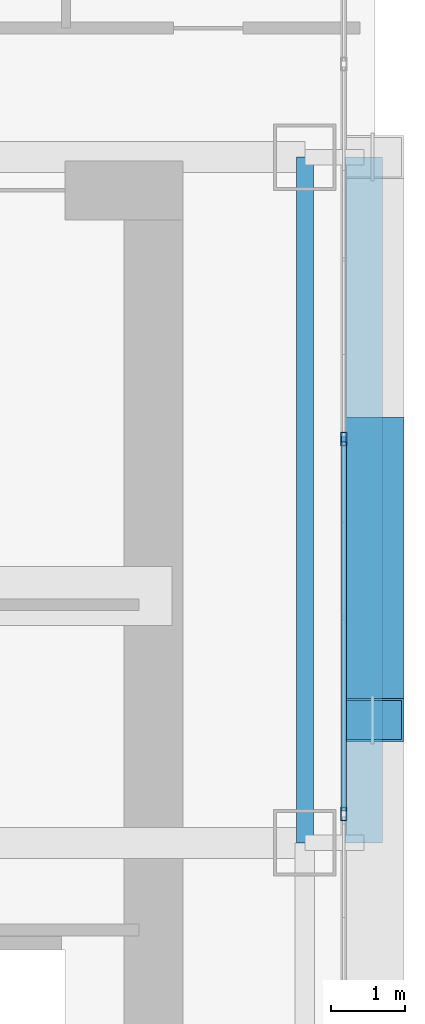
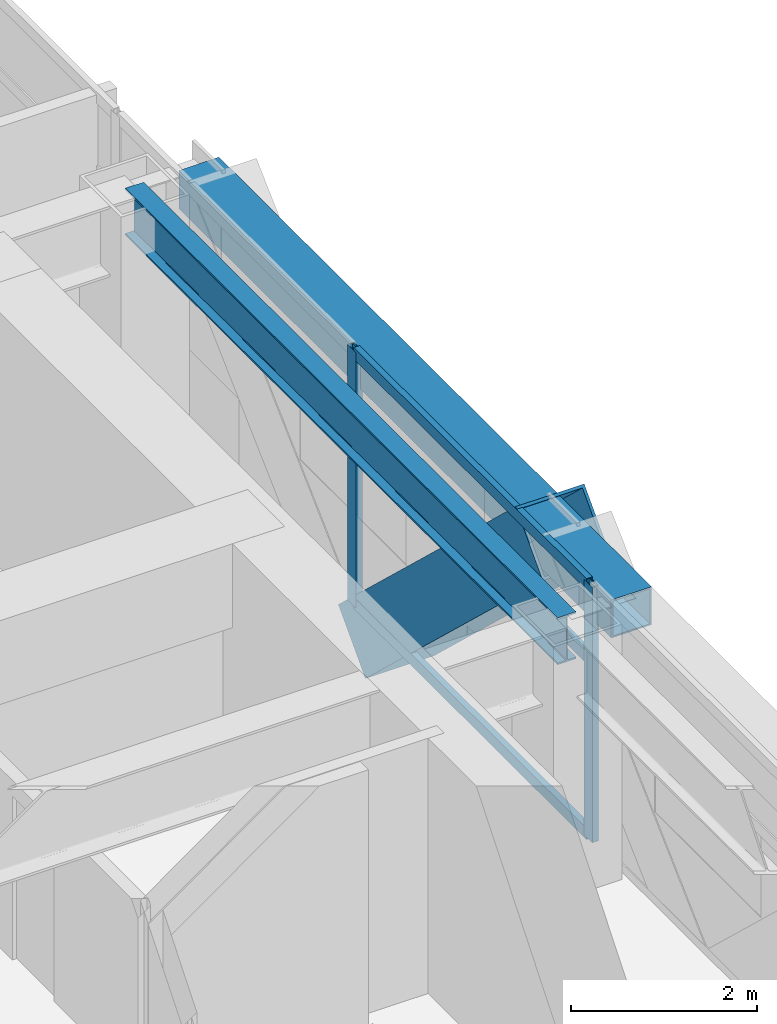
# One storey, part 15 of 38: 6 members, 2 beams, 1 element without a shape of its own.
"""IFC4 building model written with IfcOpenShell, lengths in metres."""

import ifcopenshell
import ifcopenshell.guid

model = None  # the IFC model being written
_history = None  # IfcOwnerHistory: only IFC2X3 demands one
_inside = {}  # id of a spatial element -> (the spatial element, [elements in it])
_under = {}  # id of a project, library or spatial element -> (it, [spatial elements below it])
_declared = {}  # id of a project -> (the project, [libraries it declares])
_typed = {}  # id of a type object -> (the type object, [elements of that type])
_made_of = {}  # id of a material, layer set ... -> (it, [elements and type objects made of it])


def new_model(schema):
    """Start an empty IFC model of exactly this schema.

    Asked for "IFC4X3", IfcOpenShell would pick the latest addendum, in which some entities
    have other attributes; the version numbers below select the first issue.
    IFC2X3 requires an IfcOwnerHistory on every rooted entity: one is made here for all.
    """
    global model, _history
    if schema == "IFC4X3":
        model = ifcopenshell.file(schema_version=(4, 3, 0, 0))
    else:
        model = ifcopenshell.file(schema=schema)
    _inside.clear()
    _under.clear()
    _declared.clear()
    _typed.clear()
    _made_of.clear()
    _history = None
    if model.schema == "IFC2X3":
        org = make("IfcOrganization", Name="unknown")
        user = make(
            "IfcPersonAndOrganization",
            ThePerson=make("IfcPerson", FamilyName="unknown"),
            TheOrganization=org,
        )
        app = make(
            "IfcApplication",
            ApplicationDeveloper=org,
            Version="unknown",
            ApplicationFullName="unknown",
            ApplicationIdentifier="unknown",
        )
        _history = make(
            "IfcOwnerHistory",
            OwningUser=user,
            OwningApplication=app,
            ChangeAction="ADDED",
            CreationDate=0,
        )
    return model


def make(cls, **values):
    """One entity of the class cls with the attributes given. An attribute that is None is left unset."""
    return model.create_entity(
        cls, **{name: value for name, value in values.items() if value is not None}
    )


def rooted(cls, **values):
    """An entity with a GlobalId (a new one), such as an element, a storey or a relation."""
    return make(cls, GlobalId=ifcopenshell.guid.new(), OwnerHistory=_history, **values)


def si_unit(unit_type, name, prefix=None):
    """IfcSIUnit, for example si_unit("LENGTHUNIT", "METRE", prefix="MILLI")."""
    return make("IfcSIUnit", UnitType=unit_type, Prefix=prefix, Name=name)


def assignment(units):
    """IfcUnitAssignment: the units of a project."""
    return None if units is None else make("IfcUnitAssignment", Units=units)


def point(xyz):
    """IfcCartesianPoint."""
    return None if xyz is None else make("IfcCartesianPoint", Coordinates=xyz)


def direction(xyz):
    """IfcDirection."""
    return None if xyz is None else make("IfcDirection", DirectionRatios=xyz)


def frame(location, z_axis=None, x_axis=None):
    """IfcAxis2Placement3D, a coordinate frame: its origin and axes. An axis left out is left unset."""
    return make(
        "IfcAxis2Placement3D",
        Location=point(location),
        Axis=direction(z_axis),
        RefDirection=direction(x_axis),
    )


def frame_2d(location, x_axis=None):
    """IfcAxis2Placement2D, a coordinate frame in the plane: its origin and x axis."""
    return make(
        "IfcAxis2Placement2D", Location=point(location), RefDirection=direction(x_axis)
    )


def origin():
    """The frame at (0, 0, 0) with its axes left unset."""
    return frame((0.0, 0.0, 0.0))


def origin_2d():
    """The frame at (0, 0) in the plane with its x axis left unset."""
    return frame_2d((0.0, 0.0))


def place(relative_to, where):
    """IfcLocalPlacement: puts the frame where relative to a parent placement (None: the world)."""
    return make(
        "IfcLocalPlacement", PlacementRelTo=relative_to, RelativePlacement=where
    )


def context(
    kind, dimensions, precision=None, world=None, true_north=None, identifier=None
):
    """IfcGeometricRepresentationContext, for example the 3D "Model" context."""
    return make(
        "IfcGeometricRepresentationContext",
        ContextIdentifier=identifier,
        ContextType=kind,
        CoordinateSpaceDimension=dimensions,
        Precision=precision,
        WorldCoordinateSystem=world,
        TrueNorth=true_north,
    )


def subcontext(parent, identifier, kind, view, scale=None):
    """IfcGeometricRepresentationSubContext, for example "Body" below "Model"."""
    return make(
        "IfcGeometricRepresentationSubContext",
        ContextIdentifier=identifier,
        ContextType=kind,
        ParentContext=parent,
        TargetScale=scale,
        TargetView=view,
    )


def project(units=None, contexts=None):
    """IfcProject with its units and contexts."""
    return rooted(
        "IfcProject",
        Name="project",
        RepresentationContexts=contexts,
        UnitsInContext=assignment(units),
    )


def spatial(cls, under=None, at=None, **own):
    """A site, building, storey or space (cls), placed at a placement, below another one or the project."""
    s = rooted(cls, ObjectPlacement=at, **own)
    if under is not None:
        _under.setdefault(under.id(), (under, []))[1].append(s)
    return s


def profile(cls, at=None, kind="AREA", **sizes):
    """A parametric profile (cls). Its sizes go by their IFC names, for example OverallWidth=200.0."""
    return make(cls, ProfileType=kind, Position=at, **sizes)


def hollow_rectangle(**sizes):
    """IfcRectangleHollowProfileDef."""
    return profile("IfcRectangleHollowProfileDef", **sizes)


def i_section(**sizes):
    """IfcIShapeProfileDef."""
    return profile("IfcIShapeProfileDef", **sizes)


def extrude(swept, where, along, depth):
    """IfcExtrudedAreaSolid: the profile swept, set in the frame where, extruded along a direction by depth."""
    return make(
        "IfcExtrudedAreaSolid",
        SweptArea=swept,
        Position=where,
        ExtrudedDirection=direction(along),
        Depth=depth,
    )


def shape(context_of_items, identifier, shape_type, items):
    """IfcShapeRepresentation: the items that make up one representation, for example the "Body"."""
    return make(
        "IfcShapeRepresentation",
        ContextOfItems=context_of_items,
        RepresentationIdentifier=identifier,
        RepresentationType=shape_type,
        Items=items,
    )


def source(mapping_origin, context_of_items, identifier, shape_type, items):
    """IfcRepresentationMap: a shape defined once, which mapped items show again and again."""
    return make(
        "IfcRepresentationMap",
        MappingOrigin=mapping_origin,
        MappedRepresentation=shape(context_of_items, identifier, shape_type, items),
    )


def transform(
    local_origin,
    x_axis=None,
    y_axis=None,
    z_axis=None,
    scale=None,
    scale2=None,
    scale3=None,
    uniform=True,
):
    """IfcCartesianTransformationOperator3D, or its non-uniform kind. x_axis, y_axis, z_axis: its Axis1, 2, 3."""
    if uniform:
        return make(
            "IfcCartesianTransformationOperator3D",
            Axis1=direction(x_axis),
            Axis2=direction(y_axis),
            LocalOrigin=point(local_origin),
            Scale=scale,
            Axis3=direction(z_axis),
        )
    return make(
        "IfcCartesianTransformationOperator3DnonUniform",
        Axis1=direction(x_axis),
        Axis2=direction(y_axis),
        LocalOrigin=point(local_origin),
        Scale=scale,
        Axis3=direction(z_axis),
        Scale2=scale2,
        Scale3=scale3,
    )


def mapped(mapping_source, mapping_target):
    """IfcMappedItem: shows the shape of a source again, moved by a transform."""
    return make(
        "IfcMappedItem", MappingSource=mapping_source, MappingTarget=mapping_target
    )


def material(Name=None, Category=None):
    """IfcMaterial."""
    return make("IfcMaterial", Name=Name, Category=Category)


def layer(
    of_material, thickness, ventilated=None, Name=None, Category=None, Priority=None
):
    """IfcMaterialLayer: one layer of a wall or slab, of a material (None: an air gap)."""
    return make(
        "IfcMaterialLayer",
        Material=of_material,
        LayerThickness=thickness,
        IsVentilated=ventilated,
        Name=Name,
        Category=Category,
        Priority=Priority,
    )


def layer_set(layers, Name=None):
    """IfcMaterialLayerSet."""
    return make("IfcMaterialLayerSet", MaterialLayers=layers, LayerSetName=Name)


def material_profile(
    of_material, cross_section, Name=None, Category=None, Priority=None
):
    """IfcMaterialProfile: a cross section and its material."""
    return make(
        "IfcMaterialProfile",
        Name=Name,
        Material=of_material,
        Profile=cross_section,
        Priority=Priority,
        Category=Category,
    )


def profile_set(profiles, Name=None, composite=None):
    """IfcMaterialProfileSet."""
    return make(
        "IfcMaterialProfileSet",
        Name=Name,
        MaterialProfiles=profiles,
        CompositeProfile=composite,
    )


def made_of(thing, what):
    """Note that an element or type object is made of a material, layer set ...; save() writes the relation."""
    if what is not None:
        _made_of.setdefault(what.id(), (what, []))[1].append(thing)
    return thing


def type_object(cls, material=None, **own):
    """A type object (cls), such as IfcWallType, which elements share."""
    return made_of(rooted(cls, **own), material)


def element(
    cls,
    number,
    at=None,
    inside=None,
    cuts=None,
    type_object=None,
    material=None,
    context=None,
    identifier="Body",
    shape_type=None,
    held_by="IfcProductDefinitionShape",
    body=None,
    shapes=None,
    **own,
):
    """One element of the class cls, such as IfcWall. Its Tag is "e" and its number.

    at: its placement. inside: the storey or other place that contains it. cuts: it is an
    opening in that element (IfcRelVoidsElement). A single representation is given by context,
    identifier, shape_type and body (its items); several are given by shapes. held_by: the class
    of the entity that holds the representations. save() writes the other relations.
    """
    e = rooted(cls, Tag="e%d" % number, ObjectPlacement=at, **own)
    if body is not None:
        shapes = [shape(context, identifier, shape_type, body)]
    if shapes is not None:
        e.Representation = make(held_by, Representations=shapes)
    if inside is not None:
        _inside.setdefault(inside.id(), (inside, []))[1].append(e)
    if cuts is not None:
        rooted(
            "IfcRelVoidsElement", RelatingBuildingElement=cuts, RelatedOpeningElement=e
        )
    if type_object is not None:
        _typed.setdefault(type_object.id(), (type_object, []))[1].append(e)
    return made_of(e, material)


def aggregate(whole, parts):
    """IfcRelAggregates: a whole, such as a stair, and the parts it consists of."""
    return rooted("IfcRelAggregates", RelatingObject=whole, RelatedObjects=parts)


def save(model, path):
    """Write the relations noted so far, then the file.

    IfcRelAggregates (storeys below a building ...), IfcRelContainedInSpatialStructure (elements
    in a storey), IfcRelDefinesByType, IfcRelAssociatesMaterial and IfcRelDeclares: one each for
    every whole, place, type object, material and project.
    """
    for whole, parts in _under.values():
        aggregate(whole, parts)
    for where, things in _inside.values():
        rooted(
            "IfcRelContainedInSpatialStructure",
            RelatedElements=things,
            RelatingStructure=where,
        )
    for kind, things in _typed.values():
        rooted("IfcRelDefinesByType", RelatedObjects=things, RelatingType=kind)
    for what, things in _made_of.values():
        rooted("IfcRelAssociatesMaterial", RelatedObjects=things, RelatingMaterial=what)
    for by, libraries in _declared.values():
        rooted("IfcRelDeclares", RelatingContext=by, RelatedDefinitions=libraries)
    model.write(path)


model = new_model("IFC4")

# Units and contexts
model_context = context("Model", 3, precision=1e-05, world=origin(), true_north=direction((0.0, 1.0)))
body_context = subcontext(model_context, "Body", "Model", "MODEL_VIEW")
ifc_project = project(units=[si_unit("LENGTHUNIT", "METRE"), si_unit("AREAUNIT", "SQUARE_METRE"), si_unit("VOLUMEUNIT", "CUBIC_METRE"), si_unit("PLANEANGLEUNIT", "RADIAN"), si_unit("MASSUNIT", "GRAM", prefix="KILO")], contexts=[model_context])

# Site, building, storey
site_placement = place(None, origin())
site = spatial("IfcSite", under=ifc_project, at=site_placement, CompositionType="ELEMENT")
building_placement = place(site_placement, origin())
building = spatial("IfcBuilding", under=site, at=building_placement, Name="Ocotamira Hotel", CompositionType="ELEMENT")
storey_placement = place(building_placement, frame((0.0, 0.0, 60.0)))
storey = spatial("IfcBuildingStorey", under=building, at=storey_placement, Name="L14", CompositionType="ELEMENT", Elevation=60.0)

# Beams
ifc_material_1 = material(Name="Steel ASTM A992 Grade 50", Category="steel")
ifc_material_profile_1 = material_profile(ifc_material_1, i_section(OverallWidth=0.22998046875, OverallDepth=0.616943359375, WebThickness=0.01318359375, FlangeThickness=0.022216796875, FilletRadius=0.012939453125, at=origin_2d()), Name="W24X94")
ifc_profile_set_1 = profile_set([ifc_material_profile_1], Name="Steel ASTM A992 Grade 50")
beam_type_1 = type_object("IfcBeamType", Name="BM-PRIM-W24X94", PredefinedType="BEAM", material=ifc_profile_set_1)
shared_shape_1 = source(origin(), body_context, "Body", "SweptSolid", [
    extrude(i_section(OverallWidth=0.22998046875, OverallDepth=0.616943359375, WebThickness=0.01318359375, FlangeThickness=0.022216796875, FilletRadius=0.012939453125, at=origin_2d()), origin(), (0.0, 0.0, 1.0), 9.300048828125),
])
beam_1_placement = place(storey_placement, frame((55.050048828125, 28.14990234375, 3.04150390625), z_axis=(0.0, 1.0, 0.0), x_axis=(-1.0, 0.0, 0.0)))
element("IfcBeam", 1, at=beam_1_placement, inside=storey, type_object=beam_type_1, Name="L14 Beam X55.05 Y28.15-37.45", PredefinedType="BEAM", context=body_context, shape_type="MappedRepresentation", body=[
    mapped(shared_shape_1, transform((0.0, 0.0, 0.0), scale=1.0)),
])
ifc_material_2 = material(Name="Steel ASTM A500 Grade C", Category="steel")
ifc_material_profile_2 = material_profile(ifc_material_2, hollow_rectangle(XDim=0.5, YDim=0.5, WallThickness=0.02001953125, at=origin_2d()), Name="HSS500X500X20")
ifc_profile_set_2 = profile_set([ifc_material_profile_2], Name="Steel ASTM A500 Grade C")
beam_type_2 = type_object("IfcBeamType", Name="BM-SPAN-HSS500", PredefinedType="USERDEFINED", material=ifc_profile_set_2)
shared_shape_2 = source(origin(), body_context, "Body", "SweptSolid", [
    extrude(hollow_rectangle(XDim=0.5, YDim=0.5, WallThickness=0.02001953125, at=origin_2d()), origin(), (0.0, 0.0, 1.0), 9.300048828125),
])
beam_2_placement = place(storey_placement, frame((55.85009765625, 28.14990234375, 3.10009765625), z_axis=(0.0, 1.0, 0.0), x_axis=(-1.0, 0.0, 0.0)))
element("IfcBeam", 2, at=beam_2_placement, inside=storey, type_object=beam_type_2, Name="L14 Edge Spandrel E Y28.15-37.45", ObjectType="SPANDREL", PredefinedType="USERDEFINED", context=body_context, shape_type="MappedRepresentation", body=[
    mapped(shared_shape_2, transform((0.0, 0.0, 0.0), scale=1.0)),
])

# Member
ifc_material_3 = material(Name="Pale-metal coated steel ASTM A913 Grade 65", Category="steel")
ifc_material_profile_3 = material_profile(ifc_material_3, hollow_rectangle(XDim=0.85009765625, YDim=0.85009765625, WallThickness=0.035888671875, at=origin_2d()), Name="BOX850X850X36")
ifc_profile_set_3 = profile_set([ifc_material_profile_3], Name="Pale-metal coated steel ASTM A913 Grade 65")
member_type_1 = type_object("IfcMemberType", Name="MEM-EXO-BOX850", PredefinedType="BRACE", material=ifc_profile_set_3)
shared_shape_3 = source(origin(), body_context, "Body", "SweptSolid", [
    extrude(hollow_rectangle(XDim=0.85009765625, YDim=0.85009765625, WallThickness=0.035888671875, at=origin_2d()), origin(), (0.0, 0.0, 1.0), 5.24658203125),
])
member_1_placement = place(storey_placement, frame((55.969970703125, 33.63330078125, -0.5), z_axis=(0.0, -0.727442733726, 0.686168397078), x_axis=(1.0, 0.0, 0.0)))
element("IfcMember", 3, at=member_1_placement, inside=storey, type_object=member_type_1, Name="L14 Exoskeleton Diagrid E2.1", PredefinedType="BRACE", context=body_context, shape_type="MappedRepresentation", body=[
    mapped(shared_shape_3, transform((0.0, 0.0, 0.0), scale=1.0)),
])

# Curtain wall, members
ifc_material_4 = material(Name="Anodised pale-metal aluminium and solar glass", Category="aluminium")
ifc_layer = layer(ifc_material_4, 0.179931640625)
ifc_layer_set = layer_set([ifc_layer], Name="Anodised pale-metal aluminium and solar glass")
curtain_wall_type = type_object("IfcCurtainWallType", Name="CW-SYS2-Z1", PredefinedType="NOTDEFINED", material=ifc_layer_set)
curtain_wall_placement = place(storey_placement, origin())
curtain_wall = element("IfcCurtainWall", 4, at=curtain_wall_placement, inside=storey, type_object=curtain_wall_type, Name="L14 Curtain Wall CW-2 CW-L14-E", PredefinedType="NOTDEFINED")
ifc_material_5 = material(Name="Anodised pale-metal aluminium 6063-T6", Category="aluminium")
ifc_material_profile_4 = material_profile(ifc_material_5, hollow_rectangle(XDim=0.074951171875, YDim=0.14990234375, WallThickness=0.006103515625, at=origin_2d()), Name="HSS150X75X6")
ifc_profile_set_4 = profile_set([ifc_material_profile_4], Name="Anodised pale-metal aluminium 6063-T6")
member_type_2 = type_object("IfcMemberType", Name="CWT-150X75", PredefinedType="USERDEFINED", material=ifc_profile_set_4)
shared_shape_4 = source(origin(), body_context, "Body", "SweptSolid", [
    extrude(hollow_rectangle(XDim=0.074951171875, YDim=0.14990234375, WallThickness=0.006103515625, at=origin_2d()), origin(), (0.0, 0.0, 1.0), 5.005859375),
])
member_2_placement = place(storey_placement, frame((55.580078125, 28.582763671875, 0.03759765625), z_axis=(0.0, 1.0, 0.0), x_axis=(-1.0, 0.0, 0.0)))
member_2 = element("IfcMember", 5, at=member_2_placement, type_object=member_type_2, Name="CW-2 transom 5.1", ObjectType="TRANSOM", PredefinedType="USERDEFINED", context=body_context, shape_type="MappedRepresentation", body=[
    mapped(shared_shape_4, transform((0.0, 0.0, 0.0), scale=1.0)),
])
member_3_placement = place(storey_placement, frame((55.580078125, 28.582763671875, 2.35009765625), z_axis=(0.0, 1.0, 0.0), x_axis=(-1.0, 0.0, 0.0)))
member_3 = element("IfcMember", 6, at=member_3_placement, type_object=member_type_2, Name="CW-2 transom 5.2", ObjectType="TRANSOM", PredefinedType="USERDEFINED", context=body_context, shape_type="MappedRepresentation", body=[
    mapped(shared_shape_4, transform((0.0, 0.0, 0.0), scale=1.0)),
])
member_4_placement = place(storey_placement, frame((55.580078125, 28.582763671875, 3.3125), z_axis=(0.0, 1.0, 0.0), x_axis=(-1.0, 0.0, 0.0)))
member_4 = element("IfcMember", 7, at=member_4_placement, type_object=member_type_2, Name="CW-2 transom 5.3", ObjectType="TRANSOM", PredefinedType="USERDEFINED", context=body_context, shape_type="MappedRepresentation", body=[
    mapped(shared_shape_4, transform((0.0, 0.0, 0.0), scale=1.0)),
])
ifc_material_profile_5 = material_profile(ifc_material_5, hollow_rectangle(XDim=0.080078125, YDim=0.179931640625, WallThickness=0.006103515625, at=origin_2d()), Name="HSS180X80X6")
ifc_profile_set_5 = profile_set([ifc_material_profile_5], Name="Anodised pale-metal aluminium 6063-T6")
member_type_3 = type_object("IfcMemberType", Name="CWM-180X75", PredefinedType="MULLION", material=ifc_profile_set_5)
shared_shape_5 = source(origin(), body_context, "Body", "SweptSolid", [
    extrude(hollow_rectangle(XDim=0.080078125, YDim=0.179931640625, WallThickness=0.006103515625, at=origin_2d()), origin(), (0.0, 0.0, 1.0), 3.35009765625),
])
member_5_placement = place(storey_placement, frame((55.580078125, 28.54296875, 0.0), z_axis=(0.0, 0.0, 1.0), x_axis=(-1.0, 0.0, 0.0)))
member_5 = element("IfcMember", 8, at=member_5_placement, type_object=member_type_3, Name="CW-2 mullion 5", PredefinedType="MULLION", context=body_context, shape_type="MappedRepresentation", body=[
    mapped(shared_shape_5, transform((0.0, 0.0, 0.0), scale=1.0)),
])
member_6_placement = place(storey_placement, frame((55.580078125, 33.628662109375, 0.0), z_axis=(0.0, 0.0, 1.0), x_axis=(-1.0, 0.0, 0.0)))
member_6 = element("IfcMember", 9, at=member_6_placement, type_object=member_type_3, Name="CW-2 mullion 6", PredefinedType="MULLION", context=body_context, shape_type="MappedRepresentation", body=[
    mapped(shared_shape_5, transform((0.0, 0.0, 0.0), scale=1.0)),
])
aggregate(curtain_wall, [member_5, member_6, member_2, member_3, member_4])

save(model, "model.ifc")
